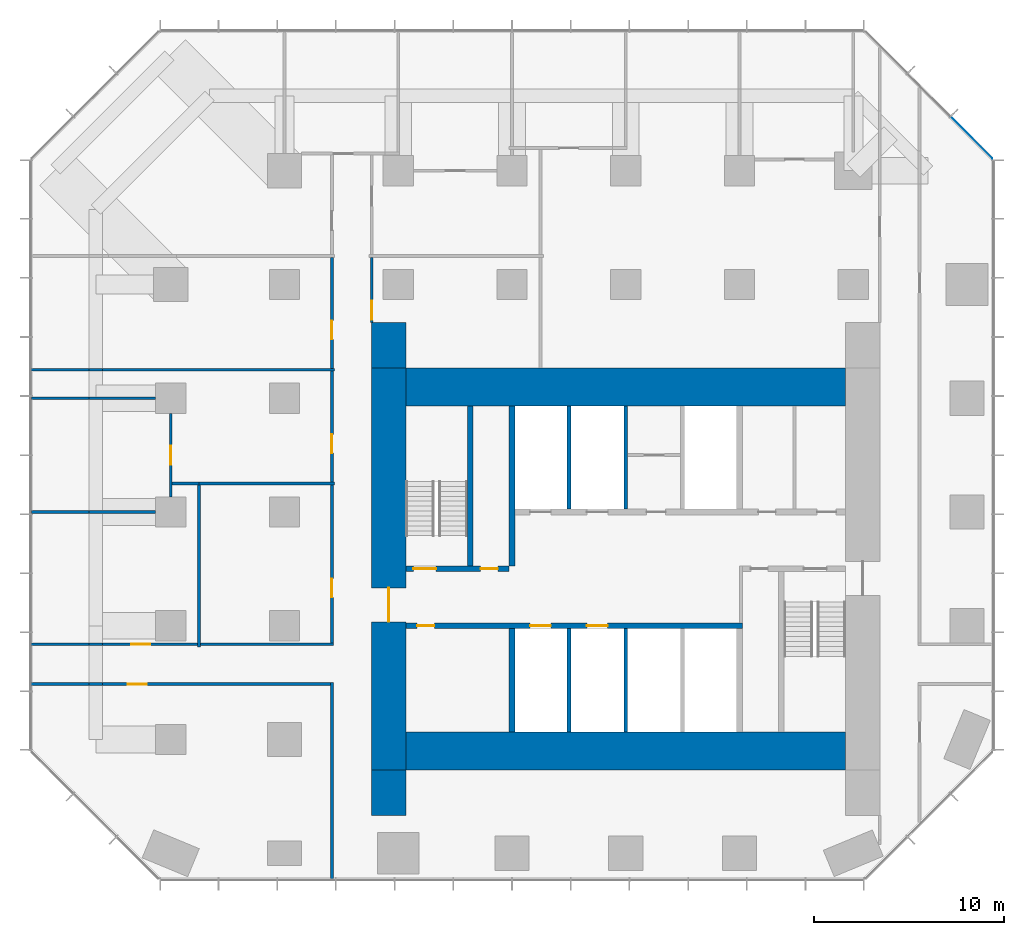
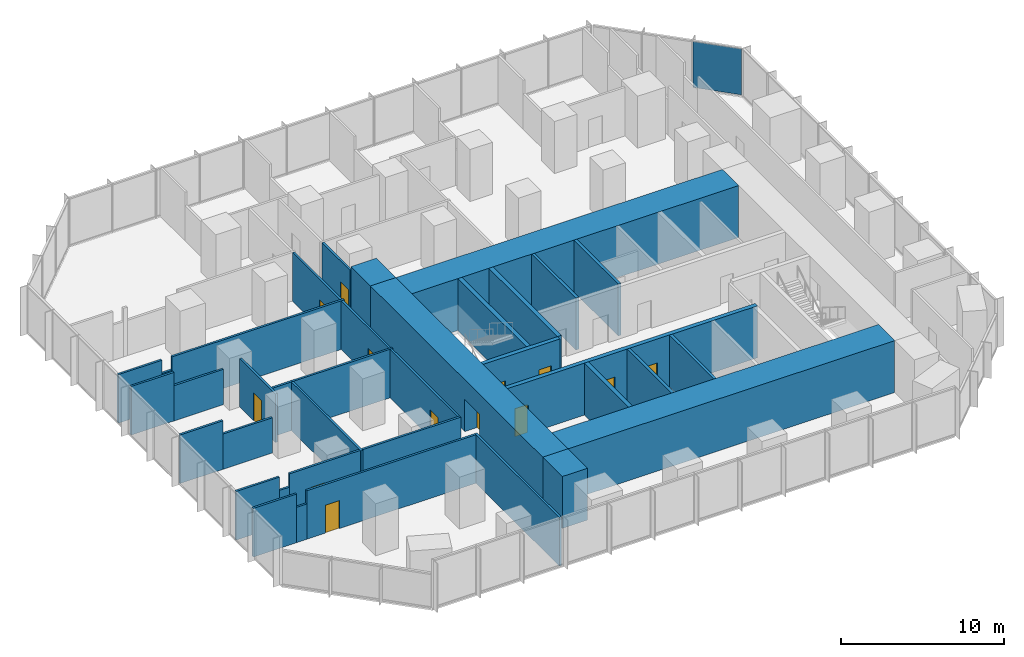
# One storey, part 8 of 11: 37 walls, 13 doors, 1 plate, 13 openings, 1 element without a shape of its own.
"""IFC4 building model written with IfcOpenShell, lengths in metres."""

from ifc_helpers import new_model, si_unit, direction, frame, frame_2d, origin, origin_2d, place, context, subcontext, project, spatial, rectangle, extrude, material, layer, layer_set, type_object, element, fill, aggregate, save


model = new_model("IFC4")

# Units and contexts
model_context = context("Model", 3, precision=1e-05, world=origin(), true_north=direction((0.0, 1.0)))
body_context = subcontext(model_context, "Body", "Model", "MODEL_VIEW")
ifc_project = project(units=[si_unit("LENGTHUNIT", "METRE"), si_unit("AREAUNIT", "SQUARE_METRE"), si_unit("VOLUMEUNIT", "CUBIC_METRE"), si_unit("PLANEANGLEUNIT", "RADIAN"), si_unit("MASSUNIT", "GRAM", prefix="KILO")], contexts=[model_context])

# Site, building, storey
site_placement = place(None, origin())
site = spatial("IfcSite", under=ifc_project, at=site_placement, CompositionType="ELEMENT")
building_placement = place(site_placement, origin())
building = spatial("IfcBuilding", under=site, at=building_placement, Name="Highveld Stack Headquarters", CompositionType="ELEMENT")
storey_placement = place(building_placement, frame((0.0, 0.0, 113.300048828125)))
storey = spatial("IfcBuildingStorey", under=building, at=storey_placement, Name="L27", CompositionType="ELEMENT", Elevation=113.300048828125)

# Curtain wall, plate
ifc_material_1 = material(Name="Aluminium bronze anodised", Category="aluminium")
ifc_layer_1 = layer(ifc_material_1, 0.199951171875)
ifc_layer_set_1 = layer_set([ifc_layer_1], Name="Aluminium bronze anodised")
curtain_wall_type = type_object("IfcCurtainWallType", Name="CW2 TOWER CHAMFER UNITISED CURTAIN WALL", PredefinedType="NOTDEFINED", material=ifc_layer_set_1)
curtain_wall_placement = place(storey_placement, origin())
curtain_wall = element("IfcCurtainWall", 1, at=curtain_wall_placement, inside=storey, type_object=curtain_wall_type, Name="Curtain wall CW2 L27 NE", PredefinedType="NOTDEFINED")
ifc_material_2 = material(Name="Glass bronze tinted double glazed unit", Category="glass")
ifc_layer_2 = layer(ifc_material_2, 0.028076171875)
ifc_layer_set_2 = layer_set([ifc_layer_2], Name="Glass bronze tinted double glazed unit")
plate_type = type_object("IfcPlateType", Name="CW2 PANEL BRONZE TINTED DOUBLE GLAZED UNIT", PredefinedType="CURTAIN_PANEL", material=ifc_layer_set_2)
plate_placement = place(storey_placement, frame((24.239501953125, 25.740478515625, 0.10009765625), z_axis=(0.0, 0.0, 1.0), x_axis=(-0.707106781187, 0.707106781187, 0.0)))
plate = element("IfcPlate", 2, at=plate_placement, type_object=plate_type, Name="CW2 panel L27 1.1", PredefinedType="CURTAIN_PANEL", context=body_context, shape_type="SweptSolid", body=[
    extrude(rectangle(XDim=3.08251953125, YDim=0.028076171875, at=origin_2d()), origin(), (0.0, 0.0, 1.0), 3.449951171875),
])
aggregate(curtain_wall, [plate])

# Wall, opening, door
ifc_material_3 = material(Name="Concrete C60/75", Category="concrete")
ifc_layer_3 = layer(ifc_material_3, 1.800048828125)
ifc_layer_set_3 = layer_set([ifc_layer_3], Name="Concrete C60/75")
wall_type_1 = type_object("IfcWallType", Name="CORE WALL 1800 C60/75", PredefinedType="SHEAR", material=ifc_layer_set_3)
wall_1_placement = place(storey_placement, frame((-6.5, -7.60009765625, 0.0), z_axis=(0.0, 0.0, 1.0), x_axis=(0.0, 1.0, 0.0)))
wall_1 = element("IfcWall", 3, at=wall_1_placement, inside=storey, type_object=wall_type_1, Name="Core wall W L27", PredefinedType="SHEAR", context=body_context, shape_type="SweptSolid", body=[
    extrude(rectangle(XDim=21.2001953125, YDim=1.800048828125, at=frame_2d((10.60009765625, 0.0))), origin(), (0.0, 0.0, 1.0), 3.89990234375),
])
opening_1_placement = place(wall_1_placement, frame((7.800048828125, 0.0, 0.0)))
opening_1 = element("IfcOpeningElement", 4, at=opening_1_placement, cuts=wall_1, Name="Opening L27-01", PredefinedType="OPENING", context=body_context, shape_type="SweptSolid", body=[
    extrude(rectangle(XDim=1.800048828125, YDim=2.39990234375, at=frame_2d((0.89990234375, 1.199951171875))), frame((0.0, 0.909912109375, 0.0), z_axis=(0.0, -1.0, 0.0), x_axis=(1.0, 0.0, 0.0)), (0.0, 0.0, 1.0), 1.820068359375),
])
ifc_material_4 = material(Name="Steel fire door", Category="steel")
door_type_1 = type_object("IfcDoorType", Name="LOBBY FIRE DOOR D4 1800x2400", OperationType="DOUBLE_DOOR_SINGLE_SWING", PredefinedType="DOOR", material=ifc_material_4)
door_1_placement = place(opening_1_placement, origin())
door_1 = element("IfcDoor", 5, at=door_1_placement, inside=storey, type_object=door_type_1, Name="Core west door L27", OperationType="DOUBLE_DOOR_SINGLE_SWING", OverallHeight=2.39990234375, OverallWidth=1.800048828125, PredefinedType="DOOR", context=body_context, shape_type="SweptSolid", body=[
    extrude(rectangle(XDim=1.800048828125, YDim=2.39990234375, at=frame_2d((0.89990234375, 1.199951171875))), frame((0.0, 0.02490234375, 0.0), z_axis=(0.0, -1.0, 0.0), x_axis=(1.0, 0.0, 0.0)), (0.0, 0.0, 1.0), 0.050048828125),
])
fill(opening_1, door_1)

# Walls
ifc_material_5 = material(Name="Concrete C60/75", Category="concrete")
ifc_layer_4 = layer(ifc_material_5, 2.0)
ifc_layer_set_4 = layer_set([ifc_layer_4], Name="Concrete C60/75")
wall_type_2 = type_object("IfcWallType", Name="CORE WALL 2000 C60/75", PredefinedType="SHEAR", material=ifc_layer_set_4)
for number, where, z_axis, x_axis, name in (
    (6, (-5.60009765625, -6.60009765625, 0.0), (0.0, 0.0, 1.0), (1.0, 0.0, 0.0), "Core wall S L27"),
    (7, (-5.60009765625, 12.60009765625, 0.0), (0.0, 0.0, 1.0), (1.0, 0.0, 0.0), "Core wall N L27"),
):
    element("IfcWall", number, at=place(storey_placement, frame(where, z_axis=z_axis, x_axis=x_axis)), inside=storey, type_object=wall_type_2, Name=name, PredefinedType="SHEAR", context=body_context, shape_type="SweptSolid", body=[
        extrude(rectangle(XDim=23.2001953125, YDim=2.0, at=frame_2d((11.60009765625, 0.0))), origin(), (0.0, 0.0, 1.0), 3.89990234375),
    ])

# Wall, openings, doors
ifc_material_6 = material(Name="Concrete C60/75", Category="concrete")
ifc_layer_5 = layer(ifc_material_6, 0.300048828125)
ifc_layer_set_5 = layer_set([ifc_layer_5], Name="Concrete C60/75")
wall_type_3 = type_object("IfcWallType", Name="CORE WALL 300 C60/75", PredefinedType="SHEAR", material=ifc_layer_set_5)
wall_2_placement = place(storey_placement, frame((-5.60009765625, 0.0, 0.0), z_axis=(0.0, 0.0, 1.0), x_axis=(1.0, 0.0, 0.0)))
wall_2 = element("IfcWall", 8, at=wall_2_placement, inside=storey, type_object=wall_type_3, Name="Core wall I-Y0 L27", PredefinedType="SHEAR", context=body_context, shape_type="SweptSolid", body=[
    extrude(rectangle(XDim=17.75, YDim=0.300048828125, at=frame_2d((8.875, 0.0))), origin(), (0.0, 0.0, 1.0), 3.89990234375),
])
opening_2_placement = place(wall_2_placement, frame((0.60009765625, 0.0, 0.0)))
opening_2 = element("IfcOpeningElement", 9, at=opening_2_placement, cuts=wall_2, Name="Opening L27-07", PredefinedType="OPENING", context=body_context, shape_type="SweptSolid", body=[
    extrude(rectangle(XDim=0.89990234375, YDim=2.10009765625, at=frame_2d((0.449951171875, 1.050048828125))), frame((0.0, 0.159912109375, 0.0), z_axis=(0.0, -1.0, 0.0), x_axis=(1.0, 0.0, 0.0)), (0.0, 0.0, 1.0), 0.320068359375),
])
opening_3_placement = place(wall_2_placement, frame((6.550048828125, 0.0, 0.0)))
opening_3 = element("IfcOpeningElement", 10, at=opening_3_placement, cuts=wall_2, Name="Opening LD", PredefinedType="OPENING", context=body_context, shape_type="SweptSolid", body=[
    extrude(rectangle(XDim=1.10009765625, YDim=2.10009765625, at=frame_2d((0.550048828125, 1.050048828125))), frame((0.0, 0.159912109375, 0.0), z_axis=(0.0, -1.0, 0.0), x_axis=(1.0, 0.0, 0.0)), (0.0, 0.0, 1.0), 0.320068359375),
])
opening_4_placement = place(wall_2_placement, frame((9.550048828125, 0.0, 0.0)))
opening_4 = element("IfcOpeningElement", 11, at=opening_4_placement, cuts=wall_2, Name="Opening LD", PredefinedType="OPENING", context=body_context, shape_type="SweptSolid", body=[
    extrude(rectangle(XDim=1.10009765625, YDim=2.10009765625, at=frame_2d((0.550048828125, 1.050048828125))), frame((0.0, 0.159912109375, 0.0), z_axis=(0.0, -1.0, 0.0), x_axis=(1.0, 0.0, 0.0)), (0.0, 0.0, 1.0), 0.320068359375),
])
ifc_material_7 = material(Name="Stainless steel lift landing door", Category="steel")
door_type_2 = type_object("IfcDoorType", Name="LIFT LANDING DOOR LD 1100x2100", OperationType="DOUBLE_DOOR_SLIDING", PredefinedType="USERDEFINED", material=ifc_material_7)
door_2_placement = place(opening_3_placement, origin())
door_2 = element("IfcDoor", 12, at=door_2_placement, inside=storey, type_object=door_type_2, Name="Lift landing door B1 L27", ObjectType="LIFT LANDING DOOR", OperationType="DOUBLE_DOOR_SLIDING", OverallHeight=2.10009765625, OverallWidth=1.10009765625, PredefinedType="USERDEFINED", context=body_context, shape_type="SweptSolid", body=[
    extrude(rectangle(XDim=1.10009765625, YDim=2.10009765625, at=frame_2d((0.550048828125, 1.050048828125))), frame((0.0, 0.02490234375, 0.0), z_axis=(0.0, -1.0, 0.0), x_axis=(1.0, 0.0, 0.0)), (0.0, 0.0, 1.0), 0.050048828125),
])
fill(opening_3, door_2)
door_3_placement = place(opening_4_placement, origin())
door_3 = element("IfcDoor", 13, at=door_3_placement, inside=storey, type_object=door_type_2, Name="Lift landing door B2 L27", ObjectType="LIFT LANDING DOOR", OperationType="DOUBLE_DOOR_SLIDING", OverallHeight=2.10009765625, OverallWidth=1.10009765625, PredefinedType="USERDEFINED", context=body_context, shape_type="SweptSolid", body=[
    extrude(rectangle(XDim=1.10009765625, YDim=2.10009765625, at=frame_2d((0.550048828125, 1.050048828125))), frame((0.0, 0.02490234375, 0.0), z_axis=(0.0, -1.0, 0.0), x_axis=(1.0, 0.0, 0.0)), (0.0, 0.0, 1.0), 0.050048828125),
])
fill(opening_4, door_3)
ifc_material_8 = material(Name="Timber door, painted", Category="wood")
door_type_3 = type_object("IfcDoorType", Name="WC DOOR D1 900x2100", OperationType="SINGLE_SWING_LEFT", PredefinedType="DOOR", material=ifc_material_8)
door_4_placement = place(opening_2_placement, origin())
door_4 = element("IfcDoor", 14, at=door_4_placement, inside=storey, type_object=door_type_3, Name="Female WC door L27", OperationType="SINGLE_SWING_LEFT", OverallHeight=2.10009765625, OverallWidth=0.89990234375, PredefinedType="DOOR", context=body_context, shape_type="SweptSolid", body=[
    extrude(rectangle(XDim=0.89990234375, YDim=2.10009765625, at=frame_2d((0.449951171875, 1.050048828125))), frame((0.0, 0.02490234375, 0.0), z_axis=(0.0, -1.0, 0.0), x_axis=(1.0, 0.0, 0.0)), (0.0, 0.0, 1.0), 0.050048828125),
])
fill(opening_2, door_4)

wall_3_placement = place(storey_placement, frame((-5.60009765625, 3.0, 0.0), z_axis=(0.0, 0.0, 1.0), x_axis=(1.0, 0.0, 0.0)))
wall_3 = element("IfcWall", 15, at=wall_3_placement, inside=storey, type_object=wall_type_3, Name="Core wall I-Y3W L27", PredefinedType="SHEAR", context=body_context, shape_type="SweptSolid", body=[
    extrude(rectangle(XDim=5.4501953125, YDim=0.300048828125, at=frame_2d((2.72509765625, 0.0))), origin(), (0.0, 0.0, 1.0), 3.89990234375),
])
opening_5_placement = place(wall_3_placement, frame((0.39990234375, 0.0, 0.0)))
opening_5 = element("IfcOpeningElement", 16, at=opening_5_placement, cuts=wall_3, Name="Opening L27-03", PredefinedType="OPENING", context=body_context, shape_type="SweptSolid", body=[
    extrude(rectangle(XDim=1.199951171875, YDim=2.10009765625, at=frame_2d((0.60009765625, 1.050048828125))), frame((0.0, 0.159912109375, 0.0), z_axis=(0.0, -1.0, 0.0), x_axis=(1.0, 0.0, 0.0)), (0.0, 0.0, 1.0), 0.320068359375),
])
opening_6_placement = place(wall_3_placement, frame((3.949951171875, 0.0, 0.0)))
opening_6 = element("IfcOpeningElement", 17, at=opening_6_placement, cuts=wall_3, Name="Opening L27-04", PredefinedType="OPENING", context=body_context, shape_type="SweptSolid", body=[
    extrude(rectangle(XDim=0.89990234375, YDim=2.10009765625, at=frame_2d((0.449951171875, 1.050048828125))), frame((0.0, 0.159912109375, 0.0), z_axis=(0.0, -1.0, 0.0), x_axis=(1.0, 0.0, 0.0)), (0.0, 0.0, 1.0), 0.320068359375),
])
ifc_material_9 = material(Name="Steel fire door", Category="steel")
door_type_4 = type_object("IfcDoorType", Name="RISER ACCESS DOOR D5 900x2100", OperationType="SINGLE_SWING_LEFT", PredefinedType="DOOR", material=ifc_material_9)
door_5_placement = place(opening_6_placement, origin())
door_5 = element("IfcDoor", 18, at=door_5_placement, inside=storey, type_object=door_type_4, Name="Riser R1 door L27", OperationType="SINGLE_SWING_RIGHT", OverallHeight=2.10009765625, OverallWidth=0.89990234375, PredefinedType="DOOR", context=body_context, shape_type="SweptSolid", body=[
    extrude(rectangle(XDim=0.89990234375, YDim=2.10009765625, at=frame_2d((0.449951171875, 1.050048828125))), frame((0.0, 0.02490234375, 0.0), z_axis=(0.0, -1.0, 0.0), x_axis=(1.0, 0.0, 0.0)), (0.0, 0.0, 1.0), 0.050048828125),
])
fill(opening_6, door_5)
ifc_material_10 = material(Name="Steel fire door", Category="steel")
door_type_5 = type_object("IfcDoorType", Name="STAIR FIRE DOOR D3 1200x2100", OperationType="SINGLE_SWING_LEFT", PredefinedType="DOOR", material=ifc_material_10)
door_6_placement = place(opening_5_placement, origin())
door_6 = element("IfcDoor", 19, at=door_6_placement, inside=storey, type_object=door_type_5, Name="Stair S1 door L27", OperationType="SINGLE_SWING_LEFT", OverallHeight=2.10009765625, OverallWidth=1.199951171875, PredefinedType="DOOR", context=body_context, shape_type="SweptSolid", body=[
    extrude(rectangle(XDim=1.199951171875, YDim=2.10009765625, at=frame_2d((0.60009765625, 1.050048828125))), frame((0.0, 0.02490234375, 0.0), z_axis=(0.0, -1.0, 0.0), x_axis=(1.0, 0.0, 0.0)), (0.0, 0.0, 1.0), 0.050048828125),
])
fill(opening_5, door_6)

# Walls
wall_4_placement = place(storey_placement, frame((0.0, -5.60009765625, 0.0), z_axis=(0.0, 0.0, 1.0), x_axis=(0.0, 1.0, 0.0)))
element("IfcWall", 20, at=wall_4_placement, inside=storey, type_object=wall_type_3, Name="Core wall I-X0S L27", PredefinedType="SHEAR", context=body_context, shape_type="SweptSolid", body=[
    extrude(rectangle(XDim=5.4501953125, YDim=0.300048828125, at=frame_2d((2.72509765625, 0.0))), origin(), (0.0, 0.0, 1.0), 3.89990234375),
])
for number, where, z_axis, x_axis, name in (
    (21, (0.0, 3.14990234375, 0.0), (0.0, 0.0, 1.0), (0.0, 1.0, 0.0), "Core wall I-X0N L27"),
    (22, (-2.199951171875, 3.14990234375, 0.0), (0.0, 0.0, 1.0), (0.0, 1.0, 0.0), "Core wall I-RW L27"),
):
    element("IfcWall", number, at=place(storey_placement, frame(where, z_axis=z_axis, x_axis=x_axis)), inside=storey, type_object=wall_type_3, Name=name, PredefinedType="SHEAR", context=body_context, shape_type="SweptSolid", body=[
        extrude(rectangle(XDim=8.4501953125, YDim=0.300048828125, at=frame_2d((4.22509765625, 0.0))), origin(), (0.0, 0.0, 1.0), 3.89990234375),
    ])
ifc_material_11 = material(Name="Concrete C60/75", Category="concrete")
ifc_layer_6 = layer(ifc_material_11, 1.800048828125)
ifc_layer_set_6 = layer_set([ifc_layer_6], Name="Concrete C60/75")
wall_type_4 = type_object("IfcWallType", Name="CORE WING WALL 1800 C60/75", PredefinedType="SHEAR", material=ifc_layer_set_6)
for number, where, z_axis, x_axis, name in (
    (23, (-6.5, -10.0, 0.0), (0.0, 0.0, 1.0), (0.0, 1.0, 0.0), "Core wing wall WS L27"),
    (24, (-6.5, 13.60009765625, 0.0), (0.0, 0.0, 1.0), (0.0, 1.0, 0.0), "Core wing wall WN L27"),
):
    element("IfcWall", number, at=place(storey_placement, frame(where, z_axis=z_axis, x_axis=x_axis)), inside=storey, type_object=wall_type_4, Name=name, PredefinedType="SHEAR", context=body_context, shape_type="SweptSolid", body=[
        extrude(rectangle(XDim=2.39990234375, YDim=1.800048828125, at=frame_2d((1.199951171875, 0.0))), origin(), (0.0, 0.0, 1.0), 3.89990234375),
    ])

# Wall, opening, door
ifc_material_12 = material(Name="Laminated glass in aluminium frame", Category="aluminium")
ifc_layer_7 = layer(ifc_material_12, 0.14990234375)
ifc_layer_set_7 = layer_set([ifc_layer_7], Name="Laminated glass in aluminium frame")
wall_type_5 = type_object("IfcWallType", Name="GLAZED PARTITION 150", PredefinedType="PARTITIONING", material=ifc_layer_set_7)
wall_5_placement = place(storey_placement, frame((-18.0, 6.800048828125, 0.0), z_axis=(0.0, 0.0, 1.0), x_axis=(0.0, 1.0, 0.0)))
wall_5 = element("IfcWall", 25, at=wall_5_placement, inside=storey, type_object=wall_type_5, Name="Glazed partition Meeting room L27", PredefinedType="PARTITIONING", context=body_context, shape_type="SweptSolid", body=[
    extrude(rectangle(XDim=4.39990234375, YDim=0.14990234375, at=frame_2d((2.199951171875, 0.0))), origin(), (0.0, 0.0, 1.0), 3.64990234375),
])
opening_7_placement = place(wall_5_placement, frame((1.699951171875, 0.0, 0.0)))
opening_7 = element("IfcOpeningElement", 26, at=opening_7_placement, cuts=wall_5, Name="Opening L27-12", PredefinedType="OPENING", context=body_context, shape_type="SweptSolid", body=[
    extrude(rectangle(XDim=1.0, YDim=2.10009765625, at=frame_2d((0.5, 1.050048828125))), frame((0.0, 0.0849609375, 0.0), z_axis=(0.0, -1.0, 0.0), x_axis=(1.0, 0.0, 0.0)), (0.0, 0.0, 1.0), 0.169921875),
])
ifc_material_13 = material(Name="Timber door, oiled ash", Category="wood")
door_type_6 = type_object("IfcDoorType", Name="ROOM DOOR D6 1000x2100", OperationType="SINGLE_SWING_LEFT", PredefinedType="DOOR", material=ifc_material_13)
door_7_placement = place(opening_7_placement, origin())
door_7 = element("IfcDoor", 27, at=door_7_placement, inside=storey, type_object=door_type_6, Name="Meeting room door 1 L27", OperationType="SINGLE_SWING_LEFT", OverallHeight=2.10009765625, OverallWidth=1.0, PredefinedType="DOOR", context=body_context, shape_type="SweptSolid", body=[
    extrude(rectangle(XDim=1.0, YDim=2.10009765625, at=frame_2d((0.5, 1.050048828125))), frame((0.0, 0.02490234375, 0.0), z_axis=(0.0, -1.0, 0.0), x_axis=(1.0, 0.0, 0.0)), (0.0, 0.0, 1.0), 0.050048828125),
])
fill(opening_7, door_7)

# Walls
ifc_material_14 = material(Name="Concrete blockwork, fair-faced", Category="masonry")
ifc_layer_8 = layer(ifc_material_14, 0.199951171875)
ifc_layer_set_8 = layer_set([ifc_layer_8], Name="Concrete blockwork, fair-faced")
wall_type_6 = type_object("IfcWallType", Name="LIFT SHAFT ENCLOSURE WALL 200 BLOCKWORK", PredefinedType="SOLIDWALL", material=ifc_layer_set_8)
for number, where, z_axis, x_axis, name in (
    (28, (3.0, 6.14990234375, 0.0), (0.0, 0.0, 1.0), (0.0, 1.0, 0.0), "Lift shaft wall L27"),
    (29, (6.0, 6.14990234375, 0.0), (0.0, 0.0, 1.0), (0.0, 1.0, 0.0), "Lift shaft wall L27"),
    (30, (3.0, -5.60009765625, 0.0), (0.0, 0.0, 1.0), (0.0, 1.0, 0.0), "Lift shaft wall L27"),
    (31, (6.0, -5.60009765625, 0.0), (0.0, 0.0, 1.0), (0.0, 1.0, 0.0), "Lift shaft wall L27"),
):
    element("IfcWall", number, at=place(storey_placement, frame(where, z_axis=z_axis, x_axis=x_axis)), inside=storey, type_object=wall_type_6, Name=name, PredefinedType="SOLIDWALL", context=body_context, shape_type="SweptSolid", body=[
        extrude(rectangle(XDim=5.4501953125, YDim=0.199951171875, at=frame_2d((2.72509765625, 0.0))), origin(), (0.0, 0.0, 1.0), 3.89990234375),
    ])
ifc_material_15 = material(Name="Gypsum plasterboard on steel studs", Category="steel")
ifc_layer_9 = layer(ifc_material_15, 0.14990234375)
ifc_layer_set_9 = layer_set([ifc_layer_9], Name="Gypsum plasterboard on steel studs")
wall_type_7 = type_object("IfcWallType", Name="PARTITION 150 PLASTERBOARD", PredefinedType="PARTITIONING", material=ifc_layer_set_9)
wall_6_placement = place(storey_placement, frame((-25.35009765625, 6.0, 0.0), z_axis=(0.0, 0.0, 1.0), x_axis=(1.0, 0.0, 0.0)))
element("IfcWall", 32, at=wall_6_placement, inside=storey, type_object=wall_type_7, Name="Partition Meeting room L27", PredefinedType="PARTITIONING", context=body_context, shape_type="SweptSolid", body=[
    extrude(rectangle(XDim=3.0400390625, YDim=0.14990234375, at=frame_2d((1.52001953125, 0.0))), origin(), (0.0, 0.0, 1.0), 3.64990234375),
])
wall_7_placement = place(storey_placement, frame((-22.31005859375, 6.0, 0.0), z_axis=(0.0, 0.0, 1.0), x_axis=(1.0, 0.0, 0.0)))
element("IfcWall", 33, at=wall_7_placement, inside=storey, type_object=wall_type_7, Name="Partition Meeting room L27", PredefinedType="PARTITIONING", context=body_context, shape_type="SweptSolid", body=[
    extrude(rectangle(XDim=3.510009765625, YDim=0.14990234375, at=frame_2d((1.7548828125, 0.0))), origin(), (0.0, 0.0, 1.0), 2.64990234375),
])
wall_8_placement = place(storey_placement, frame((-25.35009765625, 12.0, 0.0), z_axis=(0.0, 0.0, 1.0), x_axis=(1.0, 0.0, 0.0)))
element("IfcWall", 34, at=wall_8_placement, inside=storey, type_object=wall_type_7, Name="Partition Meeting room L27", PredefinedType="PARTITIONING", context=body_context, shape_type="SweptSolid", body=[
    extrude(rectangle(XDim=3.0400390625, YDim=0.14990234375, at=frame_2d((1.52001953125, 0.0))), origin(), (0.0, 0.0, 1.0), 3.64990234375),
])
wall_9_placement = place(storey_placement, frame((-22.31005859375, 12.0, 0.0), z_axis=(0.0, 0.0, 1.0), x_axis=(1.0, 0.0, 0.0)))
element("IfcWall", 35, at=wall_9_placement, inside=storey, type_object=wall_type_7, Name="Partition Meeting room L27", PredefinedType="PARTITIONING", context=body_context, shape_type="SweptSolid", body=[
    extrude(rectangle(XDim=3.510009765625, YDim=0.14990234375, at=frame_2d((1.7548828125, 0.0))), origin(), (0.0, 0.0, 1.0), 2.64990234375),
])
wall_10_placement = place(storey_placement, frame((-25.39990234375, -3.074951171875, 0.0), z_axis=(0.0, 0.0, 1.0), x_axis=(1.0, 0.0, 0.0)))
element("IfcWall", 36, at=wall_10_placement, inside=storey, type_object=wall_type_7, Name="Partition office neighbourhood L27", PredefinedType="PARTITIONING", context=body_context, shape_type="SweptSolid", body=[
    extrude(rectangle(XDim=3.08984375, YDim=0.14990234375, at=frame_2d((1.544921875, 0.0))), origin(), (0.0, 0.0, 1.0), 3.64990234375),
])
wall_11_placement = place(storey_placement, frame((-22.31005859375, -3.074951171875, 0.0), z_axis=(0.0, 0.0, 1.0), x_axis=(1.0, 0.0, 0.0)))
element("IfcWall", 37, at=wall_11_placement, inside=storey, type_object=wall_type_7, Name="Partition office neighbourhood L27", PredefinedType="PARTITIONING", context=body_context, shape_type="SweptSolid", body=[
    extrude(rectangle(XDim=0.719970703125, YDim=0.14990234375, at=frame_2d((0.35986328125, 0.0))), origin(), (0.0, 0.0, 1.0), 2.64990234375),
])

# Wall, opening, door
wall_12_placement = place(storey_placement, frame((-21.590087890625, -3.074951171875, 0.0), z_axis=(0.0, 0.0, 1.0), x_axis=(1.0, 0.0, 0.0)))
wall_12 = element("IfcWall", 38, at=wall_12_placement, inside=storey, type_object=wall_type_7, Name="Partition office neighbourhood L27", PredefinedType="PARTITIONING", context=body_context, shape_type="SweptSolid", body=[
    extrude(rectangle(XDim=12.01513671875, YDim=0.14990234375, at=frame_2d((6.007568359375, 0.0))), origin(), (0.0, 0.0, 1.0), 3.64990234375),
])
opening_8_placement = place(wall_12_placement, frame((1.320068359375, 0.0, 0.0)))
opening_8 = element("IfcOpeningElement", 39, at=opening_8_placement, cuts=wall_12, Name="Opening L27-17", PredefinedType="OPENING", context=body_context, shape_type="SweptSolid", body=[
    extrude(rectangle(XDim=1.0, YDim=2.10009765625, at=frame_2d((0.5, 1.050048828125))), frame((0.0, 0.0849609375, 0.0), z_axis=(0.0, -1.0, 0.0), x_axis=(1.0, 0.0, 0.0)), (0.0, 0.0, 1.0), 0.169921875),
])
door_8_placement = place(opening_8_placement, origin())
door_8 = element("IfcDoor", 40, at=door_8_placement, inside=storey, type_object=door_type_6, Name="Office neighbourhood door L27", OperationType="SINGLE_SWING_LEFT", OverallHeight=2.10009765625, OverallWidth=1.0, PredefinedType="DOOR", context=body_context, shape_type="SweptSolid", body=[
    extrude(rectangle(XDim=1.0, YDim=2.10009765625, at=frame_2d((0.5, 1.050048828125))), frame((0.0, 0.02490234375, 0.0), z_axis=(0.0, -1.0, 0.0), x_axis=(1.0, 0.0, 0.0)), (0.0, 0.0, 1.0), 0.050048828125),
])
fill(opening_8, door_8)

# Walls
wall_13_placement = place(storey_placement, frame((-25.39990234375, -0.97509765625, 0.0), z_axis=(0.0, 0.0, 1.0), x_axis=(1.0, 0.0, 0.0)))
element("IfcWall", 41, at=wall_13_placement, inside=storey, type_object=wall_type_7, Name="Partition office neighbourhood L27", PredefinedType="PARTITIONING", context=body_context, shape_type="SweptSolid", body=[
    extrude(rectangle(XDim=3.08984375, YDim=0.14990234375, at=frame_2d((1.544921875, 0.0))), origin(), (0.0, 0.0, 1.0), 3.64990234375),
])
wall_14_placement = place(storey_placement, frame((-22.31005859375, -0.97509765625, 0.0), z_axis=(0.0, 0.0, 1.0), x_axis=(1.0, 0.0, 0.0)))
element("IfcWall", 42, at=wall_14_placement, inside=storey, type_object=wall_type_7, Name="Partition office neighbourhood L27", PredefinedType="PARTITIONING", context=body_context, shape_type="SweptSolid", body=[
    extrude(rectangle(XDim=0.719970703125, YDim=0.14990234375, at=frame_2d((0.35986328125, 0.0))), origin(), (0.0, 0.0, 1.0), 2.64990234375),
])

# Wall, opening, door
wall_15_placement = place(storey_placement, frame((-21.590087890625, -0.97509765625, 0.0), z_axis=(0.0, 0.0, 1.0), x_axis=(1.0, 0.0, 0.0)))
wall_15 = element("IfcWall", 43, at=wall_15_placement, inside=storey, type_object=wall_type_7, Name="Partition office neighbourhood L27", PredefinedType="PARTITIONING", context=body_context, shape_type="SweptSolid", body=[
    extrude(rectangle(XDim=5.01513671875, YDim=0.14990234375, at=frame_2d((2.507568359375, 0.0))), origin(), (0.0, 0.0, 1.0), 3.64990234375),
])
opening_9_placement = place(wall_15_placement, frame((1.510009765625, 0.0, 0.0)))
opening_9 = element("IfcOpeningElement", 44, at=opening_9_placement, cuts=wall_15, Name="Opening L27-19", PredefinedType="OPENING", context=body_context, shape_type="SweptSolid", body=[
    extrude(rectangle(XDim=1.0, YDim=2.10009765625, at=frame_2d((0.5, 1.050048828125))), frame((0.0, 0.0849609375, 0.0), z_axis=(0.0, -1.0, 0.0), x_axis=(1.0, 0.0, 0.0)), (0.0, 0.0, 1.0), 0.169921875),
])
door_9_placement = place(opening_9_placement, origin())
door_9 = element("IfcDoor", 45, at=door_9_placement, inside=storey, type_object=door_type_6, Name="Office neighbourhood door L27", OperationType="SINGLE_SWING_LEFT", OverallHeight=2.10009765625, OverallWidth=1.0, PredefinedType="DOOR", context=body_context, shape_type="SweptSolid", body=[
    extrude(rectangle(XDim=1.0, YDim=2.10009765625, at=frame_2d((0.5, 1.050048828125))), frame((0.0, 0.02490234375, 0.0), z_axis=(0.0, -1.0, 0.0), x_axis=(1.0, 0.0, 0.0)), (0.0, 0.0, 1.0), 0.050048828125),
])
fill(opening_9, door_9)

# Walls
wall_16_placement = place(storey_placement, frame((-25.39990234375, 13.5, 0.0), z_axis=(0.0, 0.0, 1.0), x_axis=(1.0, 0.0, 0.0)))
element("IfcWall", 46, at=wall_16_placement, inside=storey, type_object=wall_type_7, Name="Partition office neighbourhood L27", PredefinedType="PARTITIONING", context=body_context, shape_type="SweptSolid", body=[
    extrude(rectangle(XDim=3.08984375, YDim=0.14990234375, at=frame_2d((1.544921875, 0.0))), origin(), (0.0, 0.0, 1.0), 3.64990234375),
])
wall_17_placement = place(storey_placement, frame((-22.31005859375, 13.5, 0.0), z_axis=(0.0, 0.0, 1.0), x_axis=(1.0, 0.0, 0.0)))
element("IfcWall", 47, at=wall_17_placement, inside=storey, type_object=wall_type_7, Name="Partition office neighbourhood L27", PredefinedType="PARTITIONING", context=body_context, shape_type="SweptSolid", body=[
    extrude(rectangle(XDim=0.719970703125, YDim=0.14990234375, at=frame_2d((0.35986328125, 0.0))), origin(), (0.0, 0.0, 1.0), 2.64990234375),
])
wall_18_placement = place(storey_placement, frame((-21.590087890625, 13.5, 0.0), z_axis=(0.0, 0.0, 1.0), x_axis=(1.0, 0.0, 0.0)))
element("IfcWall", 48, at=wall_18_placement, inside=storey, type_object=wall_type_7, Name="Partition office neighbourhood L27", PredefinedType="PARTITIONING", context=body_context, shape_type="SweptSolid", body=[
    extrude(rectangle(XDim=12.239990234375, YDim=0.14990234375, at=frame_2d((6.1201171875, 0.0))), origin(), (0.0, 0.0, 1.0), 3.64990234375),
])
wall_19_placement = place(storey_placement, frame((-17.925048828125, 7.5, 0.0), z_axis=(0.0, 0.0, 1.0), x_axis=(1.0, 0.0, 0.0)))
element("IfcWall", 49, at=wall_19_placement, inside=storey, type_object=wall_type_7, Name="Partition office neighbourhood L27", PredefinedType="PARTITIONING", context=body_context, shape_type="SweptSolid", body=[
    extrude(rectangle(XDim=1.425048828125, YDim=0.14990234375, at=frame_2d((0.71240234375, 0.0))), origin(), (0.0, 0.0, 1.0), 3.64990234375),
])
wall_20_placement = place(storey_placement, frame((-16.5, -1.125, 0.0), z_axis=(0.0, 0.0, 1.0), x_axis=(0.0, 1.0, 0.0)))
element("IfcWall", 50, at=wall_20_placement, inside=storey, type_object=wall_type_7, Name="Partition office neighbourhood L27", PredefinedType="PARTITIONING", context=body_context, shape_type="SweptSolid", body=[
    extrude(rectangle(XDim=8.550048828125, YDim=0.14990234375, at=frame_2d((4.27490234375, 0.0))), origin(), (0.0, 0.0, 1.0), 3.64990234375),
])
wall_21_placement = place(storey_placement, frame((-16.425048828125, -0.97509765625, 0.0), z_axis=(0.0, 0.0, 1.0), x_axis=(1.0, 0.0, 0.0)))
element("IfcWall", 51, at=wall_21_placement, inside=storey, type_object=wall_type_7, Name="Partition office neighbourhood L27", PredefinedType="PARTITIONING", context=body_context, shape_type="SweptSolid", body=[
    extrude(rectangle(XDim=7.0, YDim=0.14990234375, at=frame_2d((3.5, 0.0))), origin(), (0.0, 0.0, 1.0), 3.64990234375),
])
wall_22_placement = place(storey_placement, frame((-16.5, 7.5, 0.0), z_axis=(0.0, 0.0, 1.0), x_axis=(1.0, 0.0, 0.0)))
element("IfcWall", 52, at=wall_22_placement, inside=storey, type_object=wall_type_7, Name="Partition office neighbourhood L27", PredefinedType="PARTITIONING", context=body_context, shape_type="SweptSolid", body=[
    extrude(rectangle(XDim=7.14990234375, YDim=0.14990234375, at=frame_2d((3.574951171875, 0.0))), origin(), (0.0, 0.0, 1.0), 3.64990234375),
])
wall_23_placement = place(storey_placement, frame((-9.5, -13.39990234375, 0.0), z_axis=(0.0, 0.0, 1.0), x_axis=(0.0, 1.0, 0.0)))
element("IfcWall", 53, at=wall_23_placement, inside=storey, type_object=wall_type_7, Name="Partition office neighbourhood L27", PredefinedType="PARTITIONING", context=body_context, shape_type="SweptSolid", body=[
    extrude(rectangle(XDim=10.39990234375, YDim=0.14990234375, at=frame_2d((5.199951171875, 0.0))), origin(), (0.0, 0.0, 1.0), 3.64990234375),
])

# Wall, opening, door
wall_24_placement = place(storey_placement, frame((-9.5, -0.89990234375, 0.0), z_axis=(0.0, 0.0, 1.0), x_axis=(0.0, 1.0, 0.0)))
wall_24 = element("IfcWall", 54, at=wall_24_placement, inside=storey, type_object=wall_type_7, Name="Partition office neighbourhood L27", PredefinedType="PARTITIONING", context=body_context, shape_type="SweptSolid", body=[
    extrude(rectangle(XDim=8.324951171875, YDim=0.14990234375, at=frame_2d((4.16259765625, 0.0))), origin(), (0.0, 0.0, 1.0), 3.64990234375),
])
opening_10_placement = place(wall_24_placement, frame((2.39111328125, 0.0, 0.0)))
opening_10 = element("IfcOpeningElement", 55, at=opening_10_placement, cuts=wall_24, Name="Opening L27-20", PredefinedType="OPENING", context=body_context, shape_type="SweptSolid", body=[
    extrude(rectangle(XDim=1.0, YDim=2.10009765625, at=frame_2d((0.5, 1.050048828125))), frame((0.0, 0.0849609375, 0.0), z_axis=(0.0, -1.0, 0.0), x_axis=(1.0, 0.0, 0.0)), (0.0, 0.0, 1.0), 0.169921875),
])
door_10_placement = place(opening_10_placement, origin())
door_10 = element("IfcDoor", 56, at=door_10_placement, inside=storey, type_object=door_type_6, Name="Office neighbourhood door L27", OperationType="SINGLE_SWING_LEFT", OverallHeight=2.10009765625, OverallWidth=1.0, PredefinedType="DOOR", context=body_context, shape_type="SweptSolid", body=[
    extrude(rectangle(XDim=1.0, YDim=2.10009765625, at=frame_2d((0.5, 1.050048828125))), frame((0.0, 0.02490234375, 0.0), z_axis=(0.0, -1.0, 0.0), x_axis=(1.0, 0.0, 0.0)), (0.0, 0.0, 1.0), 0.050048828125),
])
fill(opening_10, door_10)

wall_25_placement = place(storey_placement, frame((-9.5, 7.574951171875, 0.0), z_axis=(0.0, 0.0, 1.0), x_axis=(0.0, 1.0, 0.0)))
wall_25 = element("IfcWall", 57, at=wall_25_placement, inside=storey, type_object=wall_type_7, Name="Partition office neighbourhood L27", PredefinedType="PARTITIONING", context=body_context, shape_type="SweptSolid", body=[
    extrude(rectangle(XDim=5.85009765625, YDim=0.14990234375, at=frame_2d((2.925048828125, 0.0))), origin(), (0.0, 0.0, 1.0), 3.64990234375),
])
opening_11_placement = place(wall_25_placement, frame((1.52490234375, 0.0, 0.0)))
opening_11 = element("IfcOpeningElement", 58, at=opening_11_placement, cuts=wall_25, Name="Opening L27-21", PredefinedType="OPENING", context=body_context, shape_type="SweptSolid", body=[
    extrude(rectangle(XDim=1.0, YDim=2.10009765625, at=frame_2d((0.5, 1.050048828125))), frame((0.0, 0.0849609375, 0.0), z_axis=(0.0, -1.0, 0.0), x_axis=(1.0, 0.0, 0.0)), (0.0, 0.0, 1.0), 0.169921875),
])
door_11_placement = place(opening_11_placement, origin())
door_11 = element("IfcDoor", 59, at=door_11_placement, inside=storey, type_object=door_type_6, Name="Office neighbourhood door L27", OperationType="SINGLE_SWING_LEFT", OverallHeight=2.10009765625, OverallWidth=1.0, PredefinedType="DOOR", context=body_context, shape_type="SweptSolid", body=[
    extrude(rectangle(XDim=1.0, YDim=2.10009765625, at=frame_2d((0.5, 1.050048828125))), frame((0.0, 0.02490234375, 0.0), z_axis=(0.0, -1.0, 0.0), x_axis=(1.0, 0.0, 0.0)), (0.0, 0.0, 1.0), 0.050048828125),
])
fill(opening_11, door_11)

wall_26_placement = place(storey_placement, frame((-9.5, 13.574951171875, 0.0), z_axis=(0.0, 0.0, 1.0), x_axis=(0.0, 1.0, 0.0)))
wall_26 = element("IfcWall", 60, at=wall_26_placement, inside=storey, type_object=wall_type_7, Name="Partition office neighbourhood L27", PredefinedType="PARTITIONING", context=body_context, shape_type="SweptSolid", body=[
    extrude(rectangle(XDim=5.85009765625, YDim=0.14990234375, at=frame_2d((2.925048828125, 0.0))), origin(), (0.0, 0.0, 1.0), 3.64990234375),
])
opening_12_placement = place(wall_26_placement, frame((1.52490234375, 0.0, 0.0)))
opening_12 = element("IfcOpeningElement", 61, at=opening_12_placement, cuts=wall_26, Name="Opening L27-23", PredefinedType="OPENING", context=body_context, shape_type="SweptSolid", body=[
    extrude(rectangle(XDim=1.0, YDim=2.10009765625, at=frame_2d((0.5, 1.050048828125))), frame((0.0, 0.0849609375, 0.0), z_axis=(0.0, -1.0, 0.0), x_axis=(1.0, 0.0, 0.0)), (0.0, 0.0, 1.0), 0.169921875),
])
door_12_placement = place(opening_12_placement, origin())
door_12 = element("IfcDoor", 62, at=door_12_placement, inside=storey, type_object=door_type_6, Name="Office neighbourhood door L27", OperationType="SINGLE_SWING_LEFT", OverallHeight=2.10009765625, OverallWidth=1.0, PredefinedType="DOOR", context=body_context, shape_type="SweptSolid", body=[
    extrude(rectangle(XDim=1.0, YDim=2.10009765625, at=frame_2d((0.5, 1.050048828125))), frame((0.0, 0.02490234375, 0.0), z_axis=(0.0, -1.0, 0.0), x_axis=(1.0, 0.0, 0.0)), (0.0, 0.0, 1.0), 0.050048828125),
])
fill(opening_12, door_12)

wall_27_placement = place(storey_placement, frame((-7.39990234375, 16.0, 0.0), z_axis=(0.0, 0.0, 1.0), x_axis=(0.0, 1.0, 0.0)))
wall_27 = element("IfcWall", 63, at=wall_27_placement, inside=storey, type_object=wall_type_7, Name="Partition office neighbourhood L27", PredefinedType="PARTITIONING", context=body_context, shape_type="SweptSolid", body=[
    extrude(rectangle(XDim=3.425048828125, YDim=0.14990234375, at=frame_2d((1.71240234375, 0.0))), origin(), (0.0, 0.0, 1.0), 3.64990234375),
])
opening_13_placement = place(wall_27_placement, frame((0.14990234375, 0.0, 0.0)))
opening_13 = element("IfcOpeningElement", 64, at=opening_13_placement, cuts=wall_27, Name="Opening L27-26", PredefinedType="OPENING", context=body_context, shape_type="SweptSolid", body=[
    extrude(rectangle(XDim=1.0, YDim=2.10009765625, at=frame_2d((0.5, 1.050048828125))), frame((0.0, 0.0849609375, 0.0), z_axis=(0.0, -1.0, 0.0), x_axis=(1.0, 0.0, 0.0)), (0.0, 0.0, 1.0), 0.169921875),
])
door_13_placement = place(opening_13_placement, origin())
door_13 = element("IfcDoor", 65, at=door_13_placement, inside=storey, type_object=door_type_6, Name="Office neighbourhood door L27", OperationType="SINGLE_SWING_LEFT", OverallHeight=2.10009765625, OverallWidth=1.0, PredefinedType="DOOR", context=body_context, shape_type="SweptSolid", body=[
    extrude(rectangle(XDim=1.0, YDim=2.10009765625, at=frame_2d((0.5, 1.050048828125))), frame((0.0, 0.02490234375, 0.0), z_axis=(0.0, -1.0, 0.0), x_axis=(1.0, 0.0, 0.0)), (0.0, 0.0, 1.0), 0.050048828125),
])
fill(opening_13, door_13)

save(model, "model.ifc")
